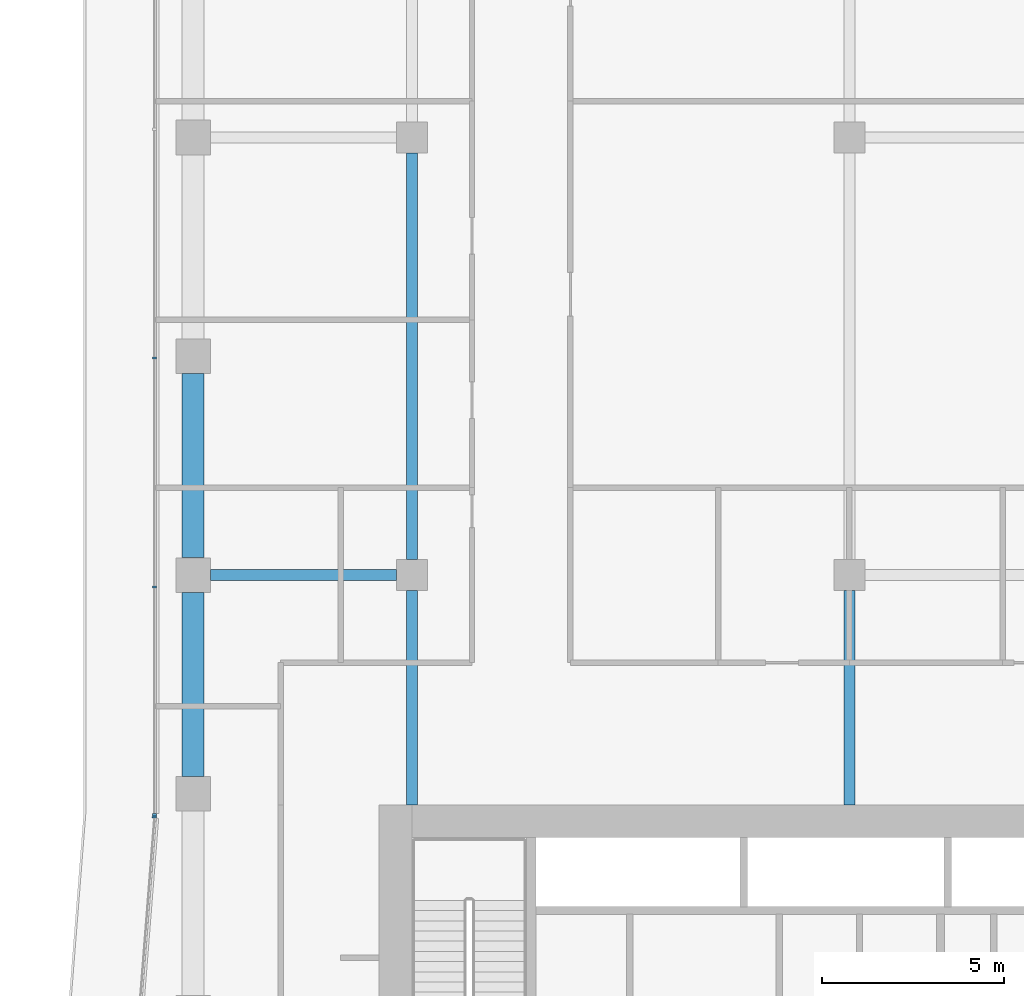
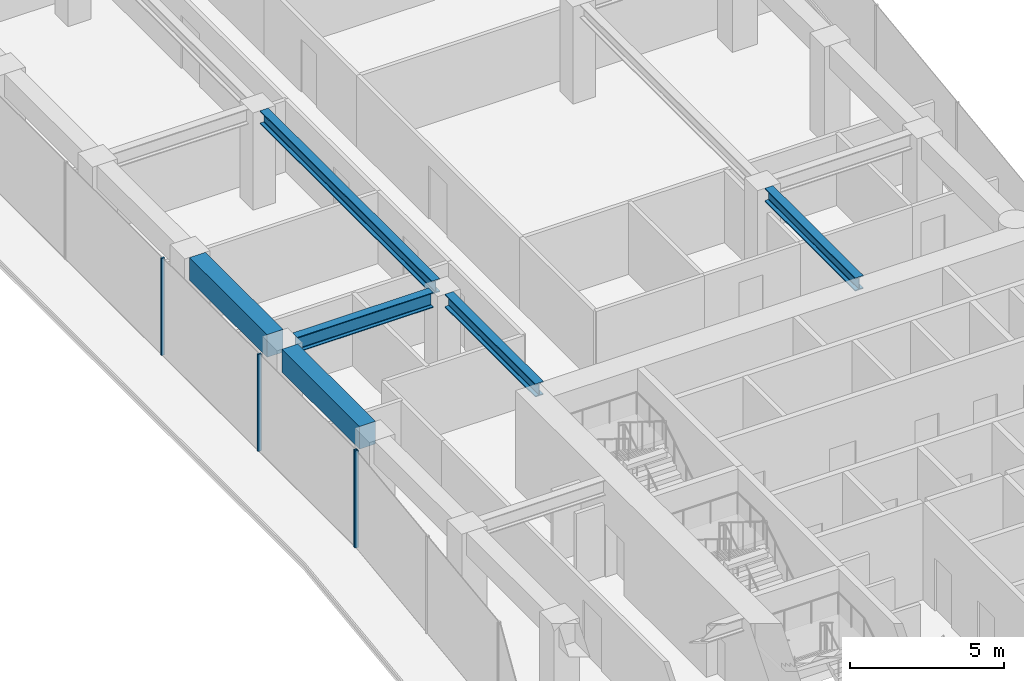
# One storey, part 12 of 29: 6 beams, 4 members, 2 elements without a shape of their own.
"""IFC4 building model written with IfcOpenShell, lengths in metres."""

from ifc_helpers import new_model, si_unit, direction, frame, origin, origin_2d, place, context, subcontext, project, spatial, rectangle, i_section, extrude, material, layer, layer_set, material_profile, profile_set, type_object, element, aggregate, save


model = new_model("IFC4")

# Units and contexts
model_context = context("Model", 3, precision=1e-05, world=origin(), true_north=direction((0.0, 1.0)))
body_context = subcontext(model_context, "Body", "Model", "MODEL_VIEW")
ifc_project = project(units=[si_unit("LENGTHUNIT", "METRE"), si_unit("AREAUNIT", "SQUARE_METRE"), si_unit("VOLUMEUNIT", "CUBIC_METRE"), si_unit("PLANEANGLEUNIT", "RADIAN"), si_unit("MASSUNIT", "GRAM", prefix="KILO")], contexts=[model_context])

# Site, building, storey
site_placement = place(None, origin())
site = spatial("IfcSite", under=ifc_project, at=site_placement, CompositionType="ELEMENT")
building_placement = place(site_placement, origin())
building = spatial("IfcBuilding", under=site, at=building_placement, Name="Welwitschia Terrace Campus", CompositionType="ELEMENT")
storey_placement = place(building_placement, frame((0.0, 0.0, 33.199951171875)))
storey = spatial("IfcBuildingStorey", under=building, at=storey_placement, Name="L07", CompositionType="ELEMENT", Elevation=33.199951171875)

# Beams
ifc_material_1 = material(Name="Steel S355", Category="steel")
ifc_material_profile_1 = material_profile(ifc_material_1, i_section(OverallWidth=0.305908203125, OverallDepth=0.52392578125, WebThickness=0.02099609375, FlangeThickness=0.0400390625, FilletRadius=0.027099609375, at=origin_2d()))
ifc_profile_set_1 = profile_set([ifc_material_profile_1], Name="Steel S355")
beam_type_1 = type_object("IfcBeamType", Name="Interior girder HE 500 M", PredefinedType="BEAM", material=ifc_profile_set_1)
beam_1_placement = place(storey_placement, frame((6.0, 25.700927734375, 3.588134765625), z_axis=(0.0, 1.0, 0.0), x_axis=(-1.0, 0.0, 0.0)))
element("IfcBeam", 1, at=beam_1_placement, inside=storey, type_object=beam_type_1, Name="Girder GB2", PredefinedType="BEAM", context=body_context, shape_type="SweptSolid", body=[
    extrude(i_section(OverallWidth=0.305908203125, OverallDepth=0.52392578125, WebThickness=0.02099609375, FlangeThickness=0.0400390625, FilletRadius=0.027099609375, at=origin_2d()), origin(), (0.0, 0.0, 1.0), 5.87353515625),
])
beam_2_placement = place(storey_placement, frame((6.0, 32.425537109375, 3.588134765625), z_axis=(0.0, 1.0, 0.0), x_axis=(-1.0, 0.0, 0.0)))
element("IfcBeam", 2, at=beam_2_placement, inside=storey, type_object=beam_type_1, Name="Girder GB2", PredefinedType="BEAM", context=body_context, shape_type="SweptSolid", body=[
    extrude(i_section(OverallWidth=0.305908203125, OverallDepth=0.52392578125, WebThickness=0.02099609375, FlangeThickness=0.0400390625, FilletRadius=0.027099609375, at=origin_2d()), origin(), (0.0, 0.0, 1.0), 11.14892578125),
])
beam_3_placement = place(storey_placement, frame((18.0, 25.700927734375, 3.588134765625), z_axis=(0.0, 1.0, 0.0), x_axis=(-1.0, 0.0, 0.0)))
element("IfcBeam", 3, at=beam_3_placement, inside=storey, type_object=beam_type_1, Name="Girder GB2", PredefinedType="BEAM", context=body_context, shape_type="SweptSolid", body=[
    extrude(i_section(OverallWidth=0.305908203125, OverallDepth=0.52392578125, WebThickness=0.02099609375, FlangeThickness=0.0400390625, FilletRadius=0.027099609375, at=origin_2d()), origin(), (0.0, 0.0, 1.0), 5.87353515625),
])

# Curtain wall, member
ifc_material_2 = material(Name="Bronze anodised aluminium", Category="aluminium")
ifc_layer = layer(ifc_material_2, 0.1201171875)
ifc_layer_set = layer_set([ifc_layer], Name="Bronze anodised aluminium")
curtain_wall_type = type_object("IfcCurtainWallType", Name="Curtain wall CW2 tower 6000", PredefinedType="NOTDEFINED", material=ifc_layer_set)
curtain_wall_1_placement = place(storey_placement, origin())
curtain_wall_1 = element("IfcCurtainWall", 4, at=curtain_wall_1_placement, inside=storey, type_object=curtain_wall_type, Name="CW L07.0.0", PredefinedType="NOTDEFINED")
ifc_material_3 = material(Name="Bronze anodised aluminium", Category="aluminium")
ifc_material_profile_2 = material_profile(ifc_material_3, rectangle(XDim=0.1201171875, YDim=0.06005859375, at=origin_2d()))
ifc_profile_set_2 = profile_set([ifc_material_profile_2], Name="Bronze anodised aluminium")
member_type = type_object("IfcMemberType", Name="Mullion 60x120", PredefinedType="MULLION", material=ifc_profile_set_2)
member_1_placement = place(storey_placement, frame((-1.060302734375, 25.3681640625, 0.0), z_axis=(0.0, 0.0, 1.0), x_axis=(0.996917333733, -0.078459095728, 0.0)))
member_1 = element("IfcMember", 5, at=member_1_placement, type_object=member_type, Name="Mullion L07.0.0.0", PredefinedType="MULLION", context=body_context, shape_type="SweptSolid", body=[
    extrude(rectangle(XDim=0.1201171875, YDim=0.06005859375, at=origin_2d()), origin(), (0.0, 0.0, 1.0), 3.85009765625),
])
aggregate(curtain_wall_1, [member_1])

# Curtain wall, members
curtain_wall_2_placement = place(storey_placement, origin())
curtain_wall_2 = element("IfcCurtainWall", 6, at=curtain_wall_2_placement, inside=storey, type_object=curtain_wall_type, Name="CW L07.17.0", PredefinedType="NOTDEFINED")
member_2_placement = place(storey_placement, frame((-1.05810546875, 37.951416015625, 0.0), z_axis=(0.0, 0.0, 1.0), x_axis=(1.0, 0.0, 0.0)))
member_2 = element("IfcMember", 7, at=member_2_placement, type_object=member_type, Name="Mullion L07.17.0.4", PredefinedType="MULLION", context=body_context, shape_type="SweptSolid", body=[
    extrude(rectangle(XDim=0.1201171875, YDim=0.06005859375, at=origin_2d()), origin(), (0.0, 0.0, 1.0), 3.85009765625),
])
member_3_placement = place(storey_placement, frame((-1.05810546875, 31.6748046875, 0.0), z_axis=(0.0, 0.0, 1.0), x_axis=(1.0, 0.0, 0.0)))
member_3 = element("IfcMember", 8, at=member_3_placement, type_object=member_type, Name="Mullion L07.17.0.5", PredefinedType="MULLION", context=body_context, shape_type="SweptSolid", body=[
    extrude(rectangle(XDim=0.1201171875, YDim=0.06005859375, at=origin_2d()), origin(), (0.0, 0.0, 1.0), 3.85009765625),
])
member_4_placement = place(storey_placement, frame((-1.05810546875, 25.427978515625, 0.0), z_axis=(0.0, 0.0, 1.0), x_axis=(1.0, 0.0, 0.0)))
member_4 = element("IfcMember", 9, at=member_4_placement, type_object=member_type, Name="Mullion L07.17.0.6", PredefinedType="MULLION", context=body_context, shape_type="SweptSolid", body=[
    extrude(rectangle(XDim=0.1201171875, YDim=0.06005859375, at=origin_2d()), origin(), (0.0, 0.0, 1.0), 3.85009765625),
])
aggregate(curtain_wall_2, [member_2, member_3, member_4])

# Beams
ifc_material_4 = material(Name="Steel S355", Category="steel")
ifc_material_profile_3 = material_profile(ifc_material_4, i_section(OverallWidth=0.300048828125, OverallDepth=0.60009765625, WebThickness=0.015380859375, FlangeThickness=0.030029296875, FilletRadius=0.027099609375, at=origin_2d()))
ifc_profile_set_3 = profile_set([ifc_material_profile_3], Name="Steel S355")
beam_type_2 = type_object("IfcBeamType", Name="Primary beam HE 600 B", PredefinedType="BEAM", material=ifc_profile_set_3)
beam_4_placement = place(storey_placement, frame((0.4755859375, 32.0, 3.550048828125), z_axis=(1.0, 0.0, 0.0), x_axis=(0.0, 1.0, 0.0)))
element("IfcBeam", 10, at=beam_4_placement, inside=storey, type_object=beam_type_2, Name="Primary beam PB2", PredefinedType="BEAM", context=body_context, shape_type="SweptSolid", body=[
    extrude(i_section(OverallWidth=0.300048828125, OverallDepth=0.60009765625, WebThickness=0.015380859375, FlangeThickness=0.030029296875, FilletRadius=0.027099609375, at=origin_2d()), origin(), (0.0, 0.0, 1.0), 5.098876953125),
])
ifc_material_5 = material(Name="Concrete C60/75", Category="concrete")
ifc_material_profile_4 = material_profile(ifc_material_5, rectangle(XDim=0.60009765625, YDim=0.89990234375, at=origin_2d()))
ifc_profile_set_4 = profile_set([ifc_material_profile_4], Name="Concrete C60/75")
beam_type_3 = type_object("IfcBeamType", Name="Ring spandrel 600x900", PredefinedType="SPANDREL", material=ifc_profile_set_4)
for number, where, z_axis, x_axis, name in (
    (11, (0.0, 37.5244140625, 3.400146484375), (0.0, -1.0, 0.0), (1.0, 0.0, 0.0), "Spandrel SP2"),
    (12, (0.0, 31.5244140625, 3.400146484375), (0.0, -1.0, 0.0), (1.0, 0.0, 0.0), "Spandrel SP2"),
):
    element("IfcBeam", number, at=place(storey_placement, frame(where, z_axis=z_axis, x_axis=x_axis)), inside=storey, type_object=beam_type_3, Name=name, PredefinedType="SPANDREL", context=body_context, shape_type="SweptSolid", body=[
        extrude(rectangle(XDim=0.60009765625, YDim=0.89990234375, at=origin_2d()), origin(), (0.0, 0.0, 1.0), 5.048828125),
    ])

save(model, "model.ifc")
